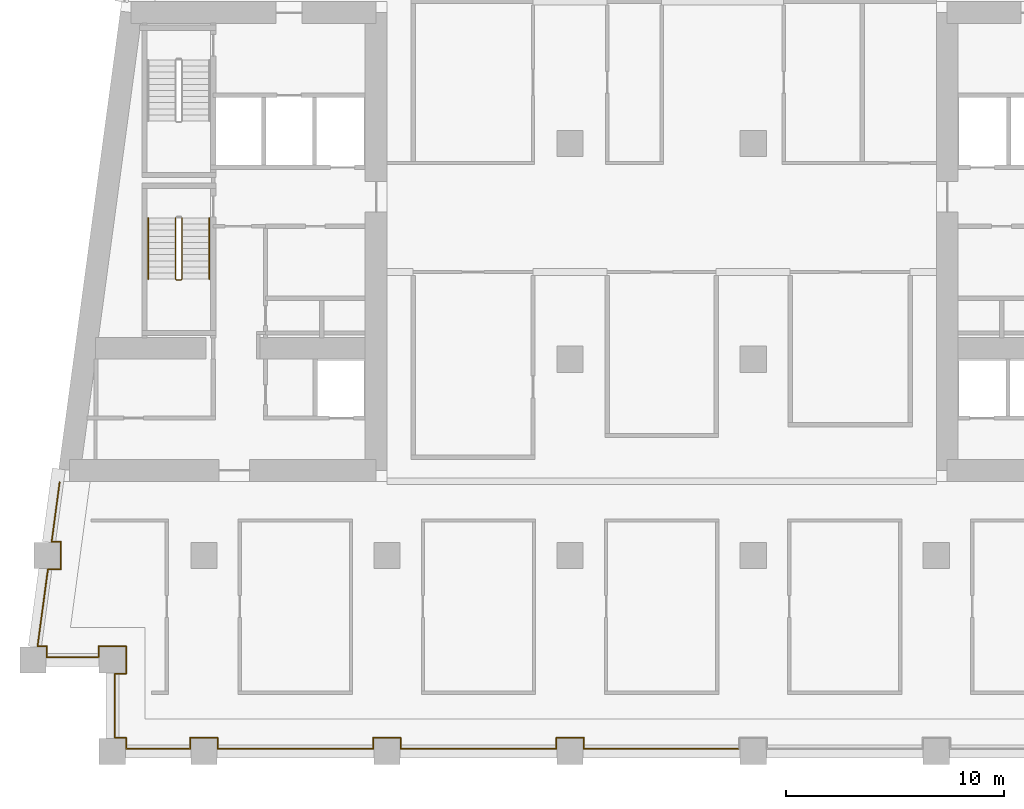
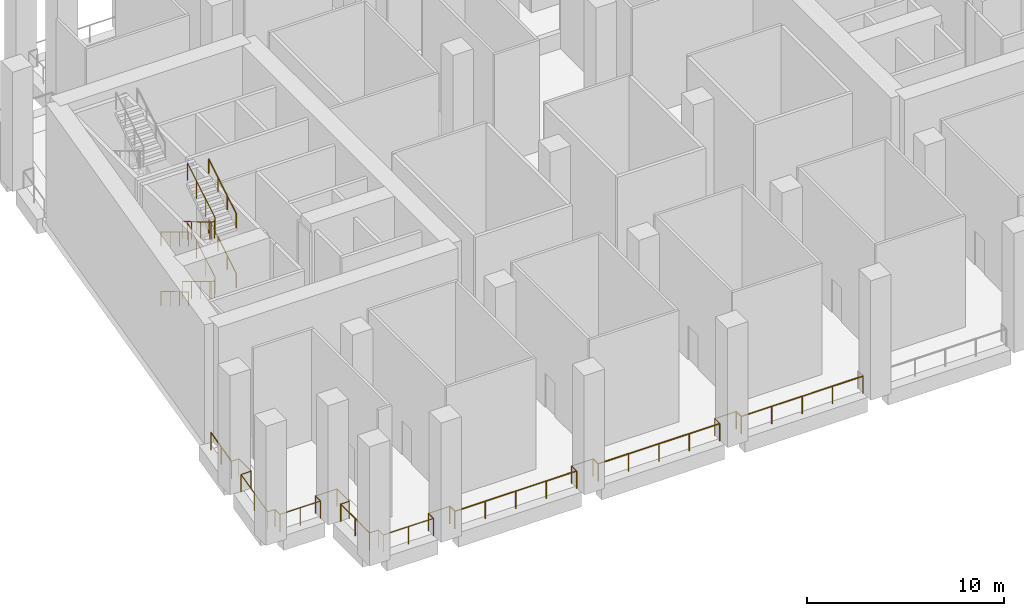
# One storey, part 7 of 10: 16 railings.
"""IFC4 building model written with IfcOpenShell, lengths in metres."""

from ifc_helpers import new_model, si_unit, direction, frame, origin, origin_2d, place, context, subcontext, project, spatial, circle, extrude, material, type_object, element, save


model = new_model("IFC4")

# Units and contexts
model_context = context("Model", 3, precision=1e-05, world=origin(), true_north=direction((0.0, 1.0)))
body_context = subcontext(model_context, "Body", "Model", "MODEL_VIEW")
ifc_project = project(units=[si_unit("LENGTHUNIT", "METRE"), si_unit("AREAUNIT", "SQUARE_METRE"), si_unit("VOLUMEUNIT", "CUBIC_METRE"), si_unit("PLANEANGLEUNIT", "RADIAN"), si_unit("MASSUNIT", "GRAM", prefix="KILO")], contexts=[model_context])

# Site, building, storey
site_placement = place(None, origin())
site = spatial("IfcSite", under=ifc_project, at=site_placement, CompositionType="ELEMENT")
building_placement = place(site_placement, origin())
building = spatial("IfcBuilding", under=site, at=building_placement, Name="Candeia Pilgrim Tower and Theatre", CompositionType="ELEMENT")
storey_placement = place(building_placement, frame((0.0, 0.0, 135.39990234375)))
storey = spatial("IfcBuildingStorey", under=building, at=storey_placement, Name="L32", CompositionType="ELEMENT", Elevation=135.39990234375)

# Railings
ifc_material_1 = material(Name="Stainless steel balustrade", Category="steel")
railing_type_1 = type_object("IfcRailingType", Name="G1 loggia guard 1100", PredefinedType="GUARDRAIL", material=ifc_material_1)
railing_1_placement = place(storey_placement, frame((88.320068359375, 101.570068359375, 0.0)))
element("IfcRailing", 1, at=railing_1_placement, inside=storey, type_object=railing_type_1, Name="Guard L32.1", PredefinedType="GUARDRAIL", context=body_context, shape_type="SweptSolid", body=[
    extrude(circle(Radius=0.02392578125, at=origin_2d()), frame((0.0, 0.0, 1.076171875), z_axis=(1.0, 0.0, 0.0), x_axis=(0.0, 1.0, 0.0)), (0.0, 0.0, 1.0), 0.510009765625),
    extrude(circle(Radius=0.02392578125, at=origin_2d()), frame((0.510009765625, 0.0, 1.076171875), z_axis=(0.0, 1.0, 0.0), x_axis=(-1.0, 0.0, 0.0)), (0.0, 0.0, 1.0), 1.260009765625),
    extrude(circle(Radius=0.02392578125, at=origin_2d()), frame((0.510009765625, 1.260009765625, 1.076171875), z_axis=(-1.0, 0.0, 0.0), x_axis=(0.0, -1.0, 0.0)), (0.0, 0.0, 1.0), 1.260009765625),
    extrude(circle(Radius=0.02392578125, at=origin_2d()), frame((-0.75, 1.260009765625, 1.076171875), z_axis=(0.0, -1.0, 0.0), x_axis=(1.0, 0.0, 0.0)), (0.0, 0.0, 1.0), 0.510009765625),
    extrude(circle(Radius=0.02392578125, at=origin_2d()), frame((-0.75, 0.75, 1.076171875), z_axis=(-1.0, 0.0, 0.0), x_axis=(0.0, -1.0, 0.0)), (0.0, 0.0, 1.0), 2.374755859375),
    extrude(circle(Radius=0.02392578125, at=origin_2d()), frame((-3.124755859375, 0.75, 1.076171875), z_axis=(0.0, 1.0, 0.0), x_axis=(-1.0, 0.0, 0.0)), (0.0, 0.0, 1.0), 0.510009765625),
    extrude(circle(Radius=0.02392578125, at=origin_2d()), frame((-3.124755859375, 1.260009765625, 1.076171875), z_axis=(-1.0, 0.0, 0.0), x_axis=(0.0, -1.0, 0.0)), (0.0, 0.0, 1.0), 0.424072265625),
    extrude(circle(Radius=0.02099609375, at=origin_2d()), origin(), (0.0, 0.0, 1.0), 1.052001953125),
    extrude(circle(Radius=0.02099609375, at=origin_2d()), frame((0.510009765625, 0.0, 0.0)), (0.0, 0.0, 1.0), 1.052001953125),
    extrude(circle(Radius=0.02099609375, at=origin_2d()), frame((0.510009765625, 1.260009765625, 0.0)), (0.0, 0.0, 1.0), 1.052001953125),
    extrude(circle(Radius=0.02099609375, at=origin_2d()), frame((-0.75, 1.260009765625, 0.0)), (0.0, 0.0, 1.0), 1.052001953125),
    extrude(circle(Radius=0.02099609375, at=origin_2d()), frame((-0.75, 0.75, 0.0)), (0.0, 0.0, 1.0), 1.052001953125),
    extrude(circle(Radius=0.02099609375, at=origin_2d()), frame((-1.9375, 0.75, 0.0)), (0.0, 0.0, 1.0), 1.052001953125),
    extrude(circle(Radius=0.02099609375, at=origin_2d()), frame((-3.124755859375, 0.75, 0.0)), (0.0, 0.0, 1.0), 1.052001953125),
    extrude(circle(Radius=0.02099609375, at=origin_2d()), frame((-3.124755859375, 1.260009765625, 0.0)), (0.0, 0.0, 1.0), 1.052001953125),
    extrude(circle(Radius=0.02099609375, at=origin_2d()), frame((-3.548828125, 1.260009765625, 0.0)), (0.0, 0.0, 1.0), 1.052001953125),
])
railing_2_placement = place(storey_placement, frame((84.771240234375, 102.830078125, 0.0)))
element("IfcRailing", 2, at=railing_2_placement, inside=storey, type_object=railing_type_1, Name="Guard L32.2", PredefinedType="GUARDRAIL", context=body_context, shape_type="SweptSolid", body=[
    extrude(circle(Radius=0.02392578125, at=origin_2d()), frame((0.0, 0.0, 1.076171875), z_axis=(0.133417176173, 0.991059966451, 0.0), x_axis=(-0.991059966451, 0.133417176173, 0.0)), (0.0, 0.0, 1.0), 3.572021484375),
    extrude(circle(Radius=0.02392578125, at=origin_2d()), frame((0.4765625, 3.5400390625, 1.076171875), z_axis=(1.0, 0.0, 0.0), x_axis=(0.0, 1.0, 0.0)), (0.0, 0.0, 1.0), 0.59375),
    extrude(circle(Radius=0.02392578125, at=origin_2d()), frame((1.0703125, 3.5400390625, 1.076171875), z_axis=(0.0, 1.0, 0.0), x_axis=(-1.0, 0.0, 0.0)), (0.0, 0.0, 1.0), 1.259765625),
    extrude(circle(Radius=0.02392578125, at=origin_2d()), frame((1.0703125, 4.7998046875, 1.076171875), z_axis=(-1.0, 0.0, 0.0), x_axis=(0.0, -1.0, 0.0)), (0.0, 0.0, 1.0), 0.424072265625),
    extrude(circle(Radius=0.02099609375, at=origin_2d()), origin(), (0.0, 0.0, 1.0), 1.052001953125),
    extrude(circle(Radius=0.02099609375, at=origin_2d()), frame((0.23828125, 1.77001953125, 0.0)), (0.0, 0.0, 1.0), 1.052001953125),
    extrude(circle(Radius=0.02099609375, at=origin_2d()), frame((0.4765625, 3.5400390625, 0.0)), (0.0, 0.0, 1.0), 1.052001953125),
    extrude(circle(Radius=0.02099609375, at=origin_2d()), frame((1.0703125, 3.5400390625, 0.0)), (0.0, 0.0, 1.0), 1.052001953125),
    extrude(circle(Radius=0.02099609375, at=origin_2d()), frame((1.0703125, 4.7998046875, 0.0)), (0.0, 0.0, 1.0), 1.052001953125),
    extrude(circle(Radius=0.02099609375, at=origin_2d()), frame((0.646240234375, 4.7998046875, 0.0)), (0.0, 0.0, 1.0), 1.052001953125),
])
railing_3_placement = place(storey_placement, frame((85.41748046875, 107.6298828125, 0.0)))
element("IfcRailing", 3, at=railing_3_placement, inside=storey, type_object=railing_type_1, Name="Guard L32.3", PredefinedType="GUARDRAIL", context=body_context, shape_type="SweptSolid", body=[
    extrude(circle(Radius=0.02392578125, at=origin_2d()), frame((0.0, 0.0, 1.076171875), z_axis=(0.1334220927, 0.991059304572, 0.0), x_axis=(-0.991059304572, 0.1334220927, 0.0)), (0.0, 0.0, 1.0), 2.744873046875),
    extrude(circle(Radius=0.02099609375, at=origin_2d()), origin(), (0.0, 0.0, 1.0), 1.052001953125),
    extrude(circle(Radius=0.02099609375, at=origin_2d()), frame((0.18310546875, 1.360107421875, 0.0)), (0.0, 0.0, 1.0), 1.052001953125),
    extrude(circle(Radius=0.02099609375, at=origin_2d()), frame((0.3662109375, 2.72021484375, 0.0)), (0.0, 0.0, 1.0), 1.052001953125),
])
railing_4_placement = place(storey_placement, frame((116.969970703125, 98.1201171875, 0.0)))
element("IfcRailing", 4, at=railing_4_placement, inside=storey, type_object=railing_type_1, Name="Guard L32.25", PredefinedType="GUARDRAIL", context=body_context, shape_type="SweptSolid", body=[
    extrude(circle(Radius=0.02392578125, at=origin_2d()), frame((0.0, 0.0, 1.076171875), z_axis=(-1.0, 0.0, 0.0), x_axis=(0.0, -1.0, 0.0)), (0.0, 0.0, 1.0), 7.139892578125),
    extrude(circle(Radius=0.02392578125, at=origin_2d()), frame((-7.139892578125, 0.0, 1.076171875), z_axis=(0.0, 1.0, 0.0), x_axis=(-1.0, 0.0, 0.0)), (0.0, 0.0, 1.0), 0.509765625),
    extrude(circle(Radius=0.02099609375, at=origin_2d()), origin(), (0.0, 0.0, 1.0), 1.052001953125),
    extrude(circle(Radius=0.02099609375, at=origin_2d()), frame((-1.784912109375, 0.0, 0.0)), (0.0, 0.0, 1.0), 1.052001953125),
    extrude(circle(Radius=0.02099609375, at=origin_2d()), frame((-3.56982421875, 0.0, 0.0)), (0.0, 0.0, 1.0), 1.052001953125),
    extrude(circle(Radius=0.02099609375, at=origin_2d()), frame((-5.35498046875, 0.0, 0.0)), (0.0, 0.0, 1.0), 1.052001953125),
    extrude(circle(Radius=0.02099609375, at=origin_2d()), frame((-7.139892578125, 0.0, 0.0)), (0.0, 0.0, 1.0), 1.052001953125),
    extrude(circle(Radius=0.02099609375, at=origin_2d()), frame((-7.139892578125, 0.509765625, 0.0)), (0.0, 0.0, 1.0), 1.052001953125),
])
railing_5_placement = place(storey_placement, frame((109.830078125, 98.6298828125, 0.0)))
element("IfcRailing", 5, at=railing_5_placement, inside=storey, type_object=railing_type_1, Name="Guard L32.26", PredefinedType="GUARDRAIL", context=body_context, shape_type="SweptSolid", body=[
    extrude(circle(Radius=0.02392578125, at=origin_2d()), frame((0.0, 0.0, 1.076171875), z_axis=(-1.0, 0.0, 0.0), x_axis=(0.0, -1.0, 0.0)), (0.0, 0.0, 1.0), 1.260009765625),
    extrude(circle(Radius=0.02392578125, at=origin_2d()), frame((-1.260009765625, 0.0, 1.076171875), z_axis=(0.0, -1.0, 0.0), x_axis=(1.0, 0.0, 0.0)), (0.0, 0.0, 1.0), 0.509765625),
    extrude(circle(Radius=0.02099609375, at=origin_2d()), origin(), (0.0, 0.0, 1.0), 1.052001953125),
    extrude(circle(Radius=0.02099609375, at=origin_2d()), frame((-1.260009765625, 0.0, 0.0)), (0.0, 0.0, 1.0), 1.052001953125),
    extrude(circle(Radius=0.02099609375, at=origin_2d()), frame((-1.260009765625, -0.509765625, 0.0)), (0.0, 0.0, 1.0), 1.052001953125),
])
railing_6_placement = place(storey_placement, frame((108.570068359375, 98.1201171875, 0.0)))
element("IfcRailing", 6, at=railing_6_placement, inside=storey, type_object=railing_type_1, Name="Guard L32.27", PredefinedType="GUARDRAIL", context=body_context, shape_type="SweptSolid", body=[
    extrude(circle(Radius=0.02392578125, at=origin_2d()), frame((0.0, 0.0, 1.076171875), z_axis=(-1.0, 0.0, 0.0), x_axis=(0.0, -1.0, 0.0)), (0.0, 0.0, 1.0), 7.14013671875),
    extrude(circle(Radius=0.02392578125, at=origin_2d()), frame((-7.14013671875, 0.0, 1.076171875), z_axis=(0.0, 1.0, 0.0), x_axis=(-1.0, 0.0, 0.0)), (0.0, 0.0, 1.0), 0.509765625),
    extrude(circle(Radius=0.02099609375, at=origin_2d()), origin(), (0.0, 0.0, 1.0), 1.052001953125),
    extrude(circle(Radius=0.02099609375, at=origin_2d()), frame((-1.78515625, 0.0, 0.0)), (0.0, 0.0, 1.0), 1.052001953125),
    extrude(circle(Radius=0.02099609375, at=origin_2d()), frame((-3.570068359375, 0.0, 0.0)), (0.0, 0.0, 1.0), 1.052001953125),
    extrude(circle(Radius=0.02099609375, at=origin_2d()), frame((-5.35498046875, 0.0, 0.0)), (0.0, 0.0, 1.0), 1.052001953125),
    extrude(circle(Radius=0.02099609375, at=origin_2d()), frame((-7.14013671875, 0.0, 0.0)), (0.0, 0.0, 1.0), 1.052001953125),
    extrude(circle(Radius=0.02099609375, at=origin_2d()), frame((-7.14013671875, 0.509765625, 0.0)), (0.0, 0.0, 1.0), 1.052001953125),
])
railing_7_placement = place(storey_placement, frame((101.429931640625, 98.6298828125, 0.0)))
element("IfcRailing", 7, at=railing_7_placement, inside=storey, type_object=railing_type_1, Name="Guard L32.28", PredefinedType="GUARDRAIL", context=body_context, shape_type="SweptSolid", body=[
    extrude(circle(Radius=0.02392578125, at=origin_2d()), frame((0.0, 0.0, 1.076171875), z_axis=(-1.0, 0.0, 0.0), x_axis=(0.0, -1.0, 0.0)), (0.0, 0.0, 1.0), 1.260009765625),
    extrude(circle(Radius=0.02392578125, at=origin_2d()), frame((-1.260009765625, 0.0, 1.076171875), z_axis=(0.0, -1.0, 0.0), x_axis=(1.0, 0.0, 0.0)), (0.0, 0.0, 1.0), 0.509765625),
    extrude(circle(Radius=0.02099609375, at=origin_2d()), origin(), (0.0, 0.0, 1.0), 1.052001953125),
    extrude(circle(Radius=0.02099609375, at=origin_2d()), frame((-1.260009765625, 0.0, 0.0)), (0.0, 0.0, 1.0), 1.052001953125),
    extrude(circle(Radius=0.02099609375, at=origin_2d()), frame((-1.260009765625, -0.509765625, 0.0)), (0.0, 0.0, 1.0), 1.052001953125),
])
railing_8_placement = place(storey_placement, frame((100.169921875, 98.1201171875, 0.0)))
element("IfcRailing", 8, at=railing_8_placement, inside=storey, type_object=railing_type_1, Name="Guard L32.29", PredefinedType="GUARDRAIL", context=body_context, shape_type="SweptSolid", body=[
    extrude(circle(Radius=0.02392578125, at=origin_2d()), frame((0.0, 0.0, 1.076171875), z_axis=(-1.0, 0.0, 0.0), x_axis=(0.0, -1.0, 0.0)), (0.0, 0.0, 1.0), 7.139892578125),
    extrude(circle(Radius=0.02392578125, at=origin_2d()), frame((-7.139892578125, 0.0, 1.076171875), z_axis=(0.0, 1.0, 0.0), x_axis=(-1.0, 0.0, 0.0)), (0.0, 0.0, 1.0), 0.509765625),
    extrude(circle(Radius=0.02099609375, at=origin_2d()), origin(), (0.0, 0.0, 1.0), 1.052001953125),
    extrude(circle(Radius=0.02099609375, at=origin_2d()), frame((-1.784912109375, 0.0, 0.0)), (0.0, 0.0, 1.0), 1.052001953125),
    extrude(circle(Radius=0.02099609375, at=origin_2d()), frame((-3.56982421875, 0.0, 0.0)), (0.0, 0.0, 1.0), 1.052001953125),
    extrude(circle(Radius=0.02099609375, at=origin_2d()), frame((-5.35498046875, 0.0, 0.0)), (0.0, 0.0, 1.0), 1.052001953125),
    extrude(circle(Radius=0.02099609375, at=origin_2d()), frame((-7.139892578125, 0.0, 0.0)), (0.0, 0.0, 1.0), 1.052001953125),
    extrude(circle(Radius=0.02099609375, at=origin_2d()), frame((-7.139892578125, 0.509765625, 0.0)), (0.0, 0.0, 1.0), 1.052001953125),
])
railing_9_placement = place(storey_placement, frame((93.030029296875, 98.6298828125, 0.0)))
element("IfcRailing", 9, at=railing_9_placement, inside=storey, type_object=railing_type_1, Name="Guard L32.30", PredefinedType="GUARDRAIL", context=body_context, shape_type="SweptSolid", body=[
    extrude(circle(Radius=0.02392578125, at=origin_2d()), frame((0.0, 0.0, 1.076171875), z_axis=(-1.0, 0.0, 0.0), x_axis=(0.0, -1.0, 0.0)), (0.0, 0.0, 1.0), 1.260009765625),
    extrude(circle(Radius=0.02392578125, at=origin_2d()), frame((-1.260009765625, 0.0, 1.076171875), z_axis=(0.0, -1.0, 0.0), x_axis=(1.0, 0.0, 0.0)), (0.0, 0.0, 1.0), 0.509765625),
    extrude(circle(Radius=0.02392578125, at=origin_2d()), frame((-1.260009765625, -0.509765625, 1.076171875), z_axis=(-1.0, 0.0, 0.0), x_axis=(0.0, -1.0, 0.0)), (0.0, 0.0, 1.0), 2.93994140625),
    extrude(circle(Radius=0.02392578125, at=origin_2d()), frame((-4.199951171875, -0.509765625, 1.076171875), z_axis=(0.0, 1.0, 0.0), x_axis=(-1.0, 0.0, 0.0)), (0.0, 0.0, 1.0), 0.509765625),
    extrude(circle(Radius=0.02392578125, at=origin_2d()), frame((-4.199951171875, 0.0, 1.076171875), z_axis=(-1.0, 0.0, 0.0), x_axis=(0.0, -1.0, 0.0)), (0.0, 0.0, 1.0), 0.510009765625),
    extrude(circle(Radius=0.02099609375, at=origin_2d()), origin(), (0.0, 0.0, 1.0), 1.052001953125),
    extrude(circle(Radius=0.02099609375, at=origin_2d()), frame((-1.260009765625, 0.0, 0.0)), (0.0, 0.0, 1.0), 1.052001953125),
    extrude(circle(Radius=0.02099609375, at=origin_2d()), frame((-1.260009765625, -0.509765625, 0.0)), (0.0, 0.0, 1.0), 1.052001953125),
    extrude(circle(Radius=0.02099609375, at=origin_2d()), frame((-2.72998046875, -0.509765625, 0.0)), (0.0, 0.0, 1.0), 1.052001953125),
    extrude(circle(Radius=0.02099609375, at=origin_2d()), frame((-4.199951171875, -0.509765625, 0.0)), (0.0, 0.0, 1.0), 1.052001953125),
    extrude(circle(Radius=0.02099609375, at=origin_2d()), frame((-4.199951171875, 0.0, 0.0)), (0.0, 0.0, 1.0), 1.052001953125),
    extrude(circle(Radius=0.02099609375, at=origin_2d()), frame((-4.7099609375, 0.0, 0.0)), (0.0, 0.0, 1.0), 1.052001953125),
])
railing_10_placement = place(storey_placement, frame((88.320068359375, 98.6298828125, 0.0)))
element("IfcRailing", 10, at=railing_10_placement, inside=storey, type_object=railing_type_1, Name="Guard L32.31", PredefinedType="GUARDRAIL", context=body_context, shape_type="SweptSolid", body=[
    extrude(circle(Radius=0.02392578125, at=origin_2d()), frame((0.0, 0.0, 1.076171875), z_axis=(0.0, 1.0, 0.0), x_axis=(-1.0, 0.0, 0.0)), (0.0, 0.0, 1.0), 2.940185546875),
    extrude(circle(Radius=0.02099609375, at=origin_2d()), origin(), (0.0, 0.0, 1.0), 1.052001953125),
    extrude(circle(Radius=0.02099609375, at=origin_2d()), frame((0.0, 1.47021484375, 0.0)), (0.0, 0.0, 1.0), 1.052001953125),
    extrude(circle(Radius=0.02099609375, at=origin_2d()), frame((0.0, 2.940185546875, 0.0)), (0.0, 0.0, 1.0), 1.052001953125),
])
railing_type_2 = type_object("IfcRailingType", Name="RL-GUARD-1100", PredefinedType="GUARDRAIL", material=ifc_material_1)
railing_11_placement = place(storey_placement, frame((91.10205078125, 122.47509765625, 0.168212890625)))
element("IfcRailing", 11, at=railing_11_placement, inside=storey, type_object=railing_type_2, Name="L32 ST1 stair guard 1", PredefinedType="GUARDRAIL", context=body_context, shape_type="SweptSolid", body=[
    extrude(circle(Radius=0.02392578125, at=origin_2d()), frame((0.0, 0.0, 1.076171875), z_axis=(0.0, -0.857242210791, 0.514913383045), x_axis=(1.0, 0.0, 0.0)), (0.0, 0.0, 1.0), 3.266357421875),
    extrude(circle(Radius=0.02392578125, at=origin_2d()), frame((0.0, -2.800048828125, 2.7578125), z_axis=(0.707106781187, -0.707106781187, 0.0), x_axis=(0.707106781187, 0.707106781187, 0.0)), (0.0, 0.0, 1.0), 0.07080078125),
    extrude(circle(Radius=0.02392578125, at=origin_2d()), frame((0.050048828125, -2.85009765625, 2.7578125), z_axis=(1.0, 0.0, 0.0), x_axis=(0.0, 1.0, 0.0)), (0.0, 0.0, 1.0), 0.199951171875),
    extrude(circle(Radius=0.02392578125, at=origin_2d()), frame((0.25, -2.85009765625, 2.7578125), z_axis=(0.274243871929, 0.274243871929, 0.92172696468), x_axis=(-0.707106781187, 0.707106781187, 0.0)), (0.0, 0.0, 1.0), 0.1826171875),
    extrude(circle(Radius=0.02392578125, at=origin_2d()), frame((0.300048828125, -2.800048828125, 2.92626953125), z_axis=(0.0, 0.857242210791, 0.514913383045), x_axis=(-1.0, 0.0, 0.0)), (0.0, 0.0, 1.0), 3.266357421875),
    extrude(circle(Radius=0.02099609375, at=origin_2d()), origin(), (0.0, 0.0, 1.0), 1.052001953125),
    extrude(circle(Radius=0.02099609375, at=origin_2d()), frame((0.0, -0.933349609375, 0.560546875)), (0.0, 0.0, 1.0), 1.052001953125),
    extrude(circle(Radius=0.02099609375, at=origin_2d()), frame((0.0, -1.86669921875, 1.121337890625)), (0.0, 0.0, 1.0), 1.052001953125),
    extrude(circle(Radius=0.02099609375, at=origin_2d()), frame((0.0, -2.800048828125, 1.681884765625)), (0.0, 0.0, 1.0), 1.052001953125),
    extrude(circle(Radius=0.02099609375, at=origin_2d()), frame((0.050048828125, -2.85009765625, 1.681884765625)), (0.0, 0.0, 1.0), 1.052001953125),
    extrude(circle(Radius=0.02099609375, at=origin_2d()), frame((0.25, -2.85009765625, 1.681884765625)), (0.0, 0.0, 1.0), 1.052001953125),
    extrude(circle(Radius=0.02099609375, at=origin_2d()), frame((0.300048828125, -2.800048828125, 1.85009765625)), (0.0, 0.0, 1.0), 1.052001953125),
    extrude(circle(Radius=0.02099609375, at=origin_2d()), frame((0.300048828125, -1.86669921875, 2.41064453125)), (0.0, 0.0, 1.0), 1.052001953125),
    extrude(circle(Radius=0.02099609375, at=origin_2d()), frame((0.300048828125, -0.933349609375, 2.971435546875)), (0.0, 0.0, 1.0), 1.052001953125),
    extrude(circle(Radius=0.02099609375, at=origin_2d()), frame((0.300048828125, 0.0, 3.531982421875)), (0.0, 0.0, 1.0), 1.052001953125),
])
railing_12_placement = place(storey_placement, frame((91.10205078125, 122.47509765625, 3.8681640625)))
element("IfcRailing", 12, at=railing_12_placement, inside=storey, type_object=railing_type_2, Name="L32 ST1 stair guard 3", PredefinedType="GUARDRAIL", context=body_context, shape_type="SweptSolid", body=[
    extrude(circle(Radius=0.02392578125, at=origin_2d()), frame((0.0, 0.0, 1.076171875), z_axis=(0.0, -0.857242210791, 0.514913383045), x_axis=(1.0, 0.0, 0.0)), (0.0, 0.0, 1.0), 3.266357421875),
    extrude(circle(Radius=0.02392578125, at=origin_2d()), frame((0.0, -2.800048828125, 2.7578125), z_axis=(0.707106781187, -0.707106781187, 0.0), x_axis=(0.707106781187, 0.707106781187, 0.0)), (0.0, 0.0, 1.0), 0.07080078125),
    extrude(circle(Radius=0.02392578125, at=origin_2d()), frame((0.050048828125, -2.85009765625, 2.7578125), z_axis=(1.0, 0.0, 0.0), x_axis=(0.0, 1.0, 0.0)), (0.0, 0.0, 1.0), 0.199951171875),
    extrude(circle(Radius=0.02392578125, at=origin_2d()), frame((0.25, -2.85009765625, 2.7578125), z_axis=(0.274243871929, 0.274243871929, 0.92172696468), x_axis=(-0.707106781187, 0.707106781187, 0.0)), (0.0, 0.0, 1.0), 0.1826171875),
    extrude(circle(Radius=0.02392578125, at=origin_2d()), frame((0.300048828125, -2.800048828125, 2.92626953125), z_axis=(0.0, 0.857242210791, 0.514913383045), x_axis=(-1.0, 0.0, 0.0)), (0.0, 0.0, 1.0), 3.266357421875),
    extrude(circle(Radius=0.02099609375, at=origin_2d()), origin(), (0.0, 0.0, 1.0), 1.052001953125),
    extrude(circle(Radius=0.02099609375, at=origin_2d()), frame((0.0, -0.933349609375, 0.560546875)), (0.0, 0.0, 1.0), 1.052001953125),
    extrude(circle(Radius=0.02099609375, at=origin_2d()), frame((0.0, -1.86669921875, 1.121337890625)), (0.0, 0.0, 1.0), 1.052001953125),
    extrude(circle(Radius=0.02099609375, at=origin_2d()), frame((0.0, -2.800048828125, 1.681884765625)), (0.0, 0.0, 1.0), 1.052001953125),
    extrude(circle(Radius=0.02099609375, at=origin_2d()), frame((0.050048828125, -2.85009765625, 1.681884765625)), (0.0, 0.0, 1.0), 1.052001953125),
    extrude(circle(Radius=0.02099609375, at=origin_2d()), frame((0.25, -2.85009765625, 1.681884765625)), (0.0, 0.0, 1.0), 1.052001953125),
    extrude(circle(Radius=0.02099609375, at=origin_2d()), frame((0.300048828125, -2.800048828125, 1.85009765625)), (0.0, 0.0, 1.0), 1.052001953125),
    extrude(circle(Radius=0.02099609375, at=origin_2d()), frame((0.300048828125, -1.86669921875, 2.41064453125)), (0.0, 0.0, 1.0), 1.052001953125),
    extrude(circle(Radius=0.02099609375, at=origin_2d()), frame((0.300048828125, -0.933349609375, 2.971435546875)), (0.0, 0.0, 1.0), 1.052001953125),
    extrude(circle(Radius=0.02099609375, at=origin_2d()), frame((0.300048828125, 0.0, 3.531982421875)), (0.0, 0.0, 1.0), 1.052001953125),
])
ifc_material_2 = material(Name="Stainless steel handrail", Category="steel")
railing_type_3 = type_object("IfcRailingType", Name="RL-HANDRAIL-900", PredefinedType="HANDRAIL", material=ifc_material_2)
railing_13_placement = place(storey_placement, frame((89.85205078125, 122.47509765625, 0.168212890625)))
element("IfcRailing", 13, at=railing_13_placement, inside=storey, type_object=railing_type_3, Name="L32 ST1 stair handrail 1", PredefinedType="HANDRAIL", context=body_context, shape_type="SweptSolid", body=[
    extrude(circle(Radius=0.02392578125, at=origin_2d()), frame((0.0, 0.0, 0.8759765625), z_axis=(0.0, -0.857242210791, 0.514913383045), x_axis=(1.0, 0.0, 0.0)), (0.0, 0.0, 1.0), 3.266357421875),
    extrude(circle(Radius=0.02099609375, at=origin_2d()), origin(), (0.0, 0.0, 1.0), 0.851806640625),
    extrude(circle(Radius=0.02099609375, at=origin_2d()), frame((0.0, -0.933349609375, 0.560546875)), (0.0, 0.0, 1.0), 0.851806640625),
    extrude(circle(Radius=0.02099609375, at=origin_2d()), frame((0.0, -1.86669921875, 1.121337890625)), (0.0, 0.0, 1.0), 0.851806640625),
    extrude(circle(Radius=0.02099609375, at=origin_2d()), frame((0.0, -2.800048828125, 1.681884765625)), (0.0, 0.0, 1.0), 0.851806640625),
])
railing_14_placement = place(storey_placement, frame((92.652099609375, 119.675048828125, 2.018310546875)))
element("IfcRailing", 14, at=railing_14_placement, inside=storey, type_object=railing_type_3, Name="L32 ST1 stair handrail 2", PredefinedType="HANDRAIL", context=body_context, shape_type="SweptSolid", body=[
    extrude(circle(Radius=0.02392578125, at=origin_2d()), frame((0.0, 0.0, 0.8759765625), z_axis=(0.0, 0.857242210791, 0.514913383045), x_axis=(-1.0, 0.0, 0.0)), (0.0, 0.0, 1.0), 3.266357421875),
    extrude(circle(Radius=0.02099609375, at=origin_2d()), origin(), (0.0, 0.0, 1.0), 0.851806640625),
    extrude(circle(Radius=0.02099609375, at=origin_2d()), frame((0.0, 0.933349609375, 0.560546875)), (0.0, 0.0, 1.0), 0.851806640625),
    extrude(circle(Radius=0.02099609375, at=origin_2d()), frame((0.0, 1.86669921875, 1.121337890625)), (0.0, 0.0, 1.0), 0.851806640625),
    extrude(circle(Radius=0.02099609375, at=origin_2d()), frame((0.0, 2.800048828125, 1.681884765625)), (0.0, 0.0, 1.0), 0.851806640625),
])
railing_15_placement = place(storey_placement, frame((89.85205078125, 122.47509765625, 3.8681640625)))
element("IfcRailing", 15, at=railing_15_placement, inside=storey, type_object=railing_type_3, Name="L32 ST1 stair handrail 3", PredefinedType="HANDRAIL", context=body_context, shape_type="SweptSolid", body=[
    extrude(circle(Radius=0.02392578125, at=origin_2d()), frame((0.0, 0.0, 0.8759765625), z_axis=(0.0, -0.857242210791, 0.514913383045), x_axis=(1.0, 0.0, 0.0)), (0.0, 0.0, 1.0), 3.266357421875),
    extrude(circle(Radius=0.02099609375, at=origin_2d()), origin(), (0.0, 0.0, 1.0), 0.851806640625),
    extrude(circle(Radius=0.02099609375, at=origin_2d()), frame((0.0, -0.933349609375, 0.560546875)), (0.0, 0.0, 1.0), 0.851806640625),
    extrude(circle(Radius=0.02099609375, at=origin_2d()), frame((0.0, -1.86669921875, 1.121337890625)), (0.0, 0.0, 1.0), 0.851806640625),
    extrude(circle(Radius=0.02099609375, at=origin_2d()), frame((0.0, -2.800048828125, 1.681884765625)), (0.0, 0.0, 1.0), 0.851806640625),
])
railing_16_placement = place(storey_placement, frame((92.652099609375, 119.675048828125, 5.71826171875)))
element("IfcRailing", 16, at=railing_16_placement, inside=storey, type_object=railing_type_3, Name="L32 ST1 stair handrail 4", PredefinedType="HANDRAIL", context=body_context, shape_type="SweptSolid", body=[
    extrude(circle(Radius=0.02392578125, at=origin_2d()), frame((0.0, 0.0, 0.8759765625), z_axis=(0.0, 0.857242210791, 0.514913383045), x_axis=(-1.0, 0.0, 0.0)), (0.0, 0.0, 1.0), 3.266357421875),
    extrude(circle(Radius=0.02099609375, at=origin_2d()), origin(), (0.0, 0.0, 1.0), 0.851806640625),
    extrude(circle(Radius=0.02099609375, at=origin_2d()), frame((0.0, 0.933349609375, 0.560546875)), (0.0, 0.0, 1.0), 0.851806640625),
    extrude(circle(Radius=0.02099609375, at=origin_2d()), frame((0.0, 1.86669921875, 1.121337890625)), (0.0, 0.0, 1.0), 0.851806640625),
    extrude(circle(Radius=0.02099609375, at=origin_2d()), frame((0.0, 2.800048828125, 1.681884765625)), (0.0, 0.0, 1.0), 0.851806640625),
])

save(model, "model.ifc")
